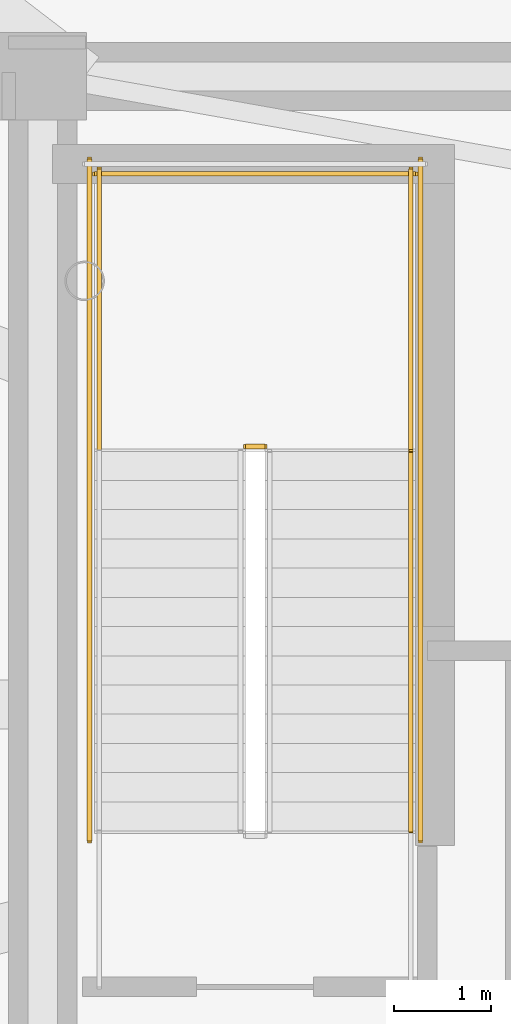
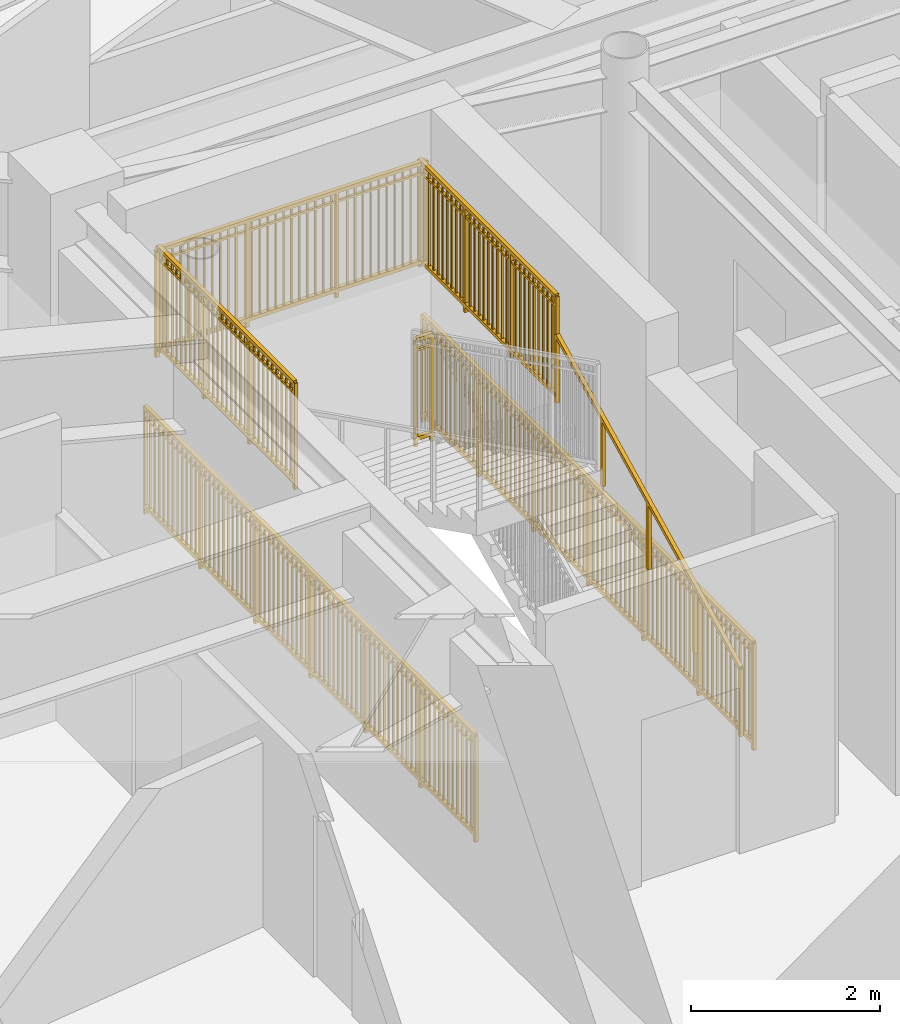
# One storey, part 22 of 23: 7 railings.
"""IFC4 building model written with IfcOpenShell, lengths in metres."""

from ifc_helpers import new_model, si_unit, direction, frame, origin, origin_2d, place, context, subcontext, project, spatial, rectangle, extrude, source, transform, mapped, material, type_object, element, save


model = new_model("IFC4")

# Units and contexts
model_context = context("Model", 3, precision=1e-05, world=origin(), true_north=direction((0.0, 1.0)))
body_context = subcontext(model_context, "Body", "Model", "MODEL_VIEW")
ifc_project = project(units=[si_unit("LENGTHUNIT", "METRE"), si_unit("AREAUNIT", "SQUARE_METRE"), si_unit("VOLUMEUNIT", "CUBIC_METRE"), si_unit("PLANEANGLEUNIT", "RADIAN"), si_unit("MASSUNIT", "GRAM", prefix="KILO")], contexts=[model_context])

# Site, building, storey
site_placement = place(None, origin())
site = spatial("IfcSite", under=ifc_project, at=site_placement, CompositionType="ELEMENT")
building_placement = place(site_placement, origin())
building = spatial("IfcBuilding", under=site, at=building_placement, Name="Linh Dai School and Residence Tower", CompositionType="ELEMENT")
storey_placement = place(building_placement, frame((0.0, 0.0, 359.39990234375)))
storey = spatial("IfcBuildingStorey", under=building, at=storey_placement, Name="L89", CompositionType="ELEMENT", Elevation=359.39990234375)

# Railings
ifc_material_1 = material(Name="Structural Steel S355JR", Category="steel")
railing_type_1 = type_object("IfcRailingType", Name="RL-ST-GUARD-1400", PredefinedType="GUARDRAIL", material=ifc_material_1)
shared_shape_1 = source(origin(), body_context, "Body", "SweptSolid", [
    extrude(rectangle(XDim=0.048095703125, YDim=0.048095703125, at=origin_2d()), frame((0.0, 0.0, 1.3759765625), z_axis=(-1.0, 0.0, 0.0), x_axis=(0.0, -1.0, 0.0)), (0.0, 0.0, 1.0), 0.199951171875),
    extrude(rectangle(XDim=0.048095703125, YDim=0.048095703125, at=origin_2d()), frame((0.0, 0.0, 0.10009765625), z_axis=(-1.0, 0.0, 0.0), x_axis=(0.0, -1.0, 0.0)), (0.0, 0.0, 1.0), 0.199951171875),
    extrude(rectangle(XDim=0.030029296875, YDim=0.030029296875, at=origin_2d()), frame((0.0, 0.0, 1.239990234375), z_axis=(-1.0, 0.0, 0.0), x_axis=(0.0, -1.0, 0.0)), (0.0, 0.0, 1.0), 0.199951171875),
    extrude(rectangle(XDim=0.0419921875, YDim=0.0419921875, at=origin_2d()), origin(), (0.0, 0.0, 1.0), 1.3759765625),
    extrude(rectangle(XDim=0.0419921875, YDim=0.0419921875, at=origin_2d()), frame((-0.199951171875, 0.0, 0.0)), (0.0, 0.0, 1.0), 1.3759765625),
])
railing_1_placement = place(storey_placement, frame((29.429931640625, 29.64990234375, 2.10009765625)))
element("IfcRailing", 1, at=railing_1_placement, inside=storey, type_object=railing_type_1, Name="L89 ST1 stair guard 2", PredefinedType="GUARDRAIL", context=body_context, shape_type="MappedRepresentation", body=[
    mapped(shared_shape_1, transform((0.0, 0.0, 0.0), x_axis=(1.0, 0.0, 0.0), y_axis=(0.0, 1.0, 0.0), z_axis=(0.0, 0.0, 1.0), scale=1.0)),
])
shared_shape_2 = source(origin(), body_context, "Body", "SweptSolid", [
    extrude(rectangle(XDim=0.048095703125, YDim=0.048095703125, at=origin_2d()), frame((0.0, 0.0, 1.3759765625), z_axis=(-1.0, 0.0, 0.0), x_axis=(0.0, -1.0, 0.0)), (0.0, 0.0, 1.0), 3.300048828125),
    extrude(rectangle(XDim=0.048095703125, YDim=0.048095703125, at=origin_2d()), frame((0.0, 0.0, 0.10009765625), z_axis=(-1.0, 0.0, 0.0), x_axis=(0.0, -1.0, 0.0)), (0.0, 0.0, 1.0), 3.300048828125),
    extrude(rectangle(XDim=0.030029296875, YDim=0.030029296875, at=origin_2d()), frame((0.0, 0.0, 1.239990234375), z_axis=(-1.0, 0.0, 0.0), x_axis=(0.0, -1.0, 0.0)), (0.0, 0.0, 1.0), 3.300048828125),
    extrude(rectangle(XDim=0.02001953125, YDim=0.02001953125, at=origin_2d()), frame((-0.09716796875, 0.0, 0.10009765625)), (0.0, 0.0, 1.0), 1.251708984375),
    extrude(rectangle(XDim=0.02001953125, YDim=0.02001953125, at=origin_2d()), frame((-0.194091796875, 0.0, 0.10009765625)), (0.0, 0.0, 1.0), 1.251708984375),
    extrude(rectangle(XDim=0.02001953125, YDim=0.02001953125, at=origin_2d()), frame((-0.291259765625, 0.0, 0.10009765625)), (0.0, 0.0, 1.0), 1.251708984375),
    extrude(rectangle(XDim=0.02001953125, YDim=0.02001953125, at=origin_2d()), frame((-0.38818359375, 0.0, 0.10009765625)), (0.0, 0.0, 1.0), 1.251708984375),
    extrude(rectangle(XDim=0.02001953125, YDim=0.02001953125, at=origin_2d()), frame((-0.4853515625, 0.0, 0.10009765625)), (0.0, 0.0, 1.0), 1.251708984375),
    extrude(rectangle(XDim=0.02001953125, YDim=0.02001953125, at=origin_2d()), frame((-0.582275390625, 0.0, 0.10009765625)), (0.0, 0.0, 1.0), 1.251708984375),
    extrude(rectangle(XDim=0.02001953125, YDim=0.02001953125, at=origin_2d()), frame((-0.679443359375, 0.0, 0.10009765625)), (0.0, 0.0, 1.0), 1.251708984375),
    extrude(rectangle(XDim=0.02001953125, YDim=0.02001953125, at=origin_2d()), frame((-0.7763671875, 0.0, 0.10009765625)), (0.0, 0.0, 1.0), 1.251708984375),
    extrude(rectangle(XDim=0.02001953125, YDim=0.02001953125, at=origin_2d()), frame((-0.87353515625, 0.0, 0.10009765625)), (0.0, 0.0, 1.0), 1.251708984375),
    extrude(rectangle(XDim=0.02001953125, YDim=0.02001953125, at=origin_2d()), frame((-0.970703125, 0.0, 0.10009765625)), (0.0, 0.0, 1.0), 1.251708984375),
    extrude(rectangle(XDim=0.02001953125, YDim=0.02001953125, at=origin_2d()), frame((-1.164794921875, 0.0, 0.10009765625)), (0.0, 0.0, 1.0), 1.251708984375),
    extrude(rectangle(XDim=0.02001953125, YDim=0.02001953125, at=origin_2d()), frame((-1.26171875, 0.0, 0.10009765625)), (0.0, 0.0, 1.0), 1.251708984375),
    extrude(rectangle(XDim=0.02001953125, YDim=0.02001953125, at=origin_2d()), frame((-1.35888671875, 0.0, 0.10009765625)), (0.0, 0.0, 1.0), 1.251708984375),
    extrude(rectangle(XDim=0.02001953125, YDim=0.02001953125, at=origin_2d()), frame((-1.455810546875, 0.0, 0.10009765625)), (0.0, 0.0, 1.0), 1.251708984375),
    extrude(rectangle(XDim=0.02001953125, YDim=0.02001953125, at=origin_2d()), frame((-1.552978515625, 0.0, 0.10009765625)), (0.0, 0.0, 1.0), 1.251708984375),
    extrude(rectangle(XDim=0.02001953125, YDim=0.02001953125, at=origin_2d()), frame((-1.64990234375, 0.0, 0.10009765625)), (0.0, 0.0, 1.0), 1.251708984375),
    extrude(rectangle(XDim=0.02001953125, YDim=0.02001953125, at=origin_2d()), frame((-1.7470703125, 0.0, 0.10009765625)), (0.0, 0.0, 1.0), 1.251708984375),
    extrude(rectangle(XDim=0.02001953125, YDim=0.02001953125, at=origin_2d()), frame((-1.84423828125, 0.0, 0.10009765625)), (0.0, 0.0, 1.0), 1.251708984375),
    extrude(rectangle(XDim=0.02001953125, YDim=0.02001953125, at=origin_2d()), frame((-1.941162109375, 0.0, 0.10009765625)), (0.0, 0.0, 1.0), 1.251708984375),
    extrude(rectangle(XDim=0.02001953125, YDim=0.02001953125, at=origin_2d()), frame((-2.038330078125, 0.0, 0.10009765625)), (0.0, 0.0, 1.0), 1.251708984375),
    extrude(rectangle(XDim=0.02001953125, YDim=0.02001953125, at=origin_2d()), frame((-2.13525390625, 0.0, 0.10009765625)), (0.0, 0.0, 1.0), 1.251708984375),
    extrude(rectangle(XDim=0.02001953125, YDim=0.02001953125, at=origin_2d()), frame((-2.329345703125, 0.0, 0.10009765625)), (0.0, 0.0, 1.0), 1.251708984375),
    extrude(rectangle(XDim=0.02001953125, YDim=0.02001953125, at=origin_2d()), frame((-2.426513671875, 0.0, 0.10009765625)), (0.0, 0.0, 1.0), 1.251708984375),
    extrude(rectangle(XDim=0.02001953125, YDim=0.02001953125, at=origin_2d()), frame((-2.523681640625, 0.0, 0.10009765625)), (0.0, 0.0, 1.0), 1.251708984375),
    extrude(rectangle(XDim=0.02001953125, YDim=0.02001953125, at=origin_2d()), frame((-2.62060546875, 0.0, 0.10009765625)), (0.0, 0.0, 1.0), 1.251708984375),
    extrude(rectangle(XDim=0.02001953125, YDim=0.02001953125, at=origin_2d()), frame((-2.7177734375, 0.0, 0.10009765625)), (0.0, 0.0, 1.0), 1.251708984375),
    extrude(rectangle(XDim=0.02001953125, YDim=0.02001953125, at=origin_2d()), frame((-2.814697265625, 0.0, 0.10009765625)), (0.0, 0.0, 1.0), 1.251708984375),
    extrude(rectangle(XDim=0.02001953125, YDim=0.02001953125, at=origin_2d()), frame((-2.911865234375, 0.0, 0.10009765625)), (0.0, 0.0, 1.0), 1.251708984375),
    extrude(rectangle(XDim=0.02001953125, YDim=0.02001953125, at=origin_2d()), frame((-3.0087890625, 0.0, 0.10009765625)), (0.0, 0.0, 1.0), 1.251708984375),
    extrude(rectangle(XDim=0.02001953125, YDim=0.02001953125, at=origin_2d()), frame((-3.10595703125, 0.0, 0.10009765625)), (0.0, 0.0, 1.0), 1.251708984375),
    extrude(rectangle(XDim=0.02001953125, YDim=0.02001953125, at=origin_2d()), frame((-3.202880859375, 0.0, 0.10009765625)), (0.0, 0.0, 1.0), 1.251708984375),
    extrude(rectangle(XDim=0.0419921875, YDim=0.0419921875, at=origin_2d()), origin(), (0.0, 0.0, 1.0), 1.3759765625),
    extrude(rectangle(XDim=0.0419921875, YDim=0.0419921875, at=origin_2d()), frame((-1.10009765625, 0.0, 0.0)), (0.0, 0.0, 1.0), 1.3759765625),
    extrude(rectangle(XDim=0.0419921875, YDim=0.0419921875, at=origin_2d()), frame((-2.199951171875, 0.0, 0.0)), (0.0, 0.0, 1.0), 1.3759765625),
    extrude(rectangle(XDim=0.0419921875, YDim=0.0419921875, at=origin_2d()), frame((-3.300048828125, 0.0, 0.0)), (0.0, 0.0, 1.0), 1.3759765625),
])
railing_2_placement = place(storey_placement, frame((30.97998046875, 32.449951171875, 2.10009765625)))
element("IfcRailing", 2, at=railing_2_placement, inside=storey, type_object=railing_type_1, Name="L89 ST1 stair guard 5", PredefinedType="GUARDRAIL", context=body_context, shape_type="MappedRepresentation", body=[
    mapped(shared_shape_2, transform((0.0, 0.0, 0.0), x_axis=(1.0, 0.0, 0.0), y_axis=(0.0, 1.0, 0.0), z_axis=(0.0, 0.0, 1.0), scale=1.0)),
])
shared_shape_3 = source(origin(), body_context, "Body", "SweptSolid", [
    extrude(rectangle(XDim=0.048095703125, YDim=0.048095703125, at=origin_2d()), frame((0.0, 0.0, 1.3759765625), z_axis=(0.0, 1.0, 0.0), x_axis=(-1.0, 0.0, 0.0)), (0.0, 0.0, 1.0), 7.0),
    extrude(rectangle(XDim=0.048095703125, YDim=0.048095703125, at=origin_2d()), frame((0.0, 0.0, 0.10009765625), z_axis=(0.0, 1.0, 0.0), x_axis=(-1.0, 0.0, 0.0)), (0.0, 0.0, 1.0), 7.0),
    extrude(rectangle(XDim=0.030029296875, YDim=0.030029296875, at=origin_2d()), frame((0.0, 0.0, 1.239990234375), z_axis=(0.0, 1.0, 0.0), x_axis=(-1.0, 0.0, 0.0)), (0.0, 0.0, 1.0), 7.0),
    extrude(rectangle(XDim=0.02001953125, YDim=0.02001953125, at=origin_2d()), frame((0.0, 0.09716796875, 0.10009765625)), (0.0, 0.0, 1.0), 1.251708984375),
    extrude(rectangle(XDim=0.02001953125, YDim=0.02001953125, at=origin_2d()), frame((0.0, 0.1943359375, 0.10009765625)), (0.0, 0.0, 1.0), 1.251708984375),
    extrude(rectangle(XDim=0.02001953125, YDim=0.02001953125, at=origin_2d()), frame((0.0, 0.291748046875, 0.10009765625)), (0.0, 0.0, 1.0), 1.251708984375),
    extrude(rectangle(XDim=0.02001953125, YDim=0.02001953125, at=origin_2d()), frame((0.0, 0.388916015625, 0.10009765625)), (0.0, 0.0, 1.0), 1.251708984375),
    extrude(rectangle(XDim=0.02001953125, YDim=0.02001953125, at=origin_2d()), frame((0.0, 0.486083984375, 0.10009765625)), (0.0, 0.0, 1.0), 1.251708984375),
    extrude(rectangle(XDim=0.02001953125, YDim=0.02001953125, at=origin_2d()), frame((0.0, 0.583251953125, 0.10009765625)), (0.0, 0.0, 1.0), 1.251708984375),
    extrude(rectangle(XDim=0.02001953125, YDim=0.02001953125, at=origin_2d()), frame((0.0, 0.6806640625, 0.10009765625)), (0.0, 0.0, 1.0), 1.251708984375),
    extrude(rectangle(XDim=0.02001953125, YDim=0.02001953125, at=origin_2d()), frame((0.0, 0.77783203125, 0.10009765625)), (0.0, 0.0, 1.0), 1.251708984375),
    extrude(rectangle(XDim=0.02001953125, YDim=0.02001953125, at=origin_2d()), frame((0.0, 0.875, 0.10009765625)), (0.0, 0.0, 1.0), 1.251708984375),
    extrude(rectangle(XDim=0.02001953125, YDim=0.02001953125, at=origin_2d()), frame((0.0, 0.97216796875, 0.10009765625)), (0.0, 0.0, 1.0), 1.251708984375),
    extrude(rectangle(XDim=0.02001953125, YDim=0.02001953125, at=origin_2d()), frame((0.0, 1.0693359375, 0.10009765625)), (0.0, 0.0, 1.0), 1.251708984375),
    extrude(rectangle(XDim=0.02001953125, YDim=0.02001953125, at=origin_2d()), frame((0.0, 1.263916015625, 0.10009765625)), (0.0, 0.0, 1.0), 1.251708984375),
    extrude(rectangle(XDim=0.02001953125, YDim=0.02001953125, at=origin_2d()), frame((0.0, 1.361083984375, 0.10009765625)), (0.0, 0.0, 1.0), 1.251708984375),
    extrude(rectangle(XDim=0.02001953125, YDim=0.02001953125, at=origin_2d()), frame((0.0, 1.458251953125, 0.10009765625)), (0.0, 0.0, 1.0), 1.251708984375),
    extrude(rectangle(XDim=0.02001953125, YDim=0.02001953125, at=origin_2d()), frame((0.0, 1.5556640625, 0.10009765625)), (0.0, 0.0, 1.0), 1.251708984375),
    extrude(rectangle(XDim=0.02001953125, YDim=0.02001953125, at=origin_2d()), frame((0.0, 1.65283203125, 0.10009765625)), (0.0, 0.0, 1.0), 1.251708984375),
    extrude(rectangle(XDim=0.02001953125, YDim=0.02001953125, at=origin_2d()), frame((0.0, 1.75, 0.10009765625)), (0.0, 0.0, 1.0), 1.251708984375),
    extrude(rectangle(XDim=0.02001953125, YDim=0.02001953125, at=origin_2d()), frame((0.0, 1.84716796875, 0.10009765625)), (0.0, 0.0, 1.0), 1.251708984375),
    extrude(rectangle(XDim=0.02001953125, YDim=0.02001953125, at=origin_2d()), frame((0.0, 1.9443359375, 0.10009765625)), (0.0, 0.0, 1.0), 1.251708984375),
    extrude(rectangle(XDim=0.02001953125, YDim=0.02001953125, at=origin_2d()), frame((0.0, 2.041748046875, 0.10009765625)), (0.0, 0.0, 1.0), 1.251708984375),
    extrude(rectangle(XDim=0.02001953125, YDim=0.02001953125, at=origin_2d()), frame((0.0, 2.138916015625, 0.10009765625)), (0.0, 0.0, 1.0), 1.251708984375),
    extrude(rectangle(XDim=0.02001953125, YDim=0.02001953125, at=origin_2d()), frame((0.0, 2.236083984375, 0.10009765625)), (0.0, 0.0, 1.0), 1.251708984375),
    extrude(rectangle(XDim=0.02001953125, YDim=0.02001953125, at=origin_2d()), frame((0.0, 2.4306640625, 0.10009765625)), (0.0, 0.0, 1.0), 1.251708984375),
    extrude(rectangle(XDim=0.02001953125, YDim=0.02001953125, at=origin_2d()), frame((0.0, 2.52783203125, 0.10009765625)), (0.0, 0.0, 1.0), 1.251708984375),
    extrude(rectangle(XDim=0.02001953125, YDim=0.02001953125, at=origin_2d()), frame((0.0, 2.625, 0.10009765625)), (0.0, 0.0, 1.0), 1.251708984375),
    extrude(rectangle(XDim=0.02001953125, YDim=0.02001953125, at=origin_2d()), frame((0.0, 2.72216796875, 0.10009765625)), (0.0, 0.0, 1.0), 1.251708984375),
    extrude(rectangle(XDim=0.02001953125, YDim=0.02001953125, at=origin_2d()), frame((0.0, 2.8193359375, 0.10009765625)), (0.0, 0.0, 1.0), 1.251708984375),
    extrude(rectangle(XDim=0.02001953125, YDim=0.02001953125, at=origin_2d()), frame((0.0, 2.916748046875, 0.10009765625)), (0.0, 0.0, 1.0), 1.251708984375),
    extrude(rectangle(XDim=0.02001953125, YDim=0.02001953125, at=origin_2d()), frame((0.0, 3.013916015625, 0.10009765625)), (0.0, 0.0, 1.0), 1.251708984375),
    extrude(rectangle(XDim=0.02001953125, YDim=0.02001953125, at=origin_2d()), frame((0.0, 3.111083984375, 0.10009765625)), (0.0, 0.0, 1.0), 1.251708984375),
    extrude(rectangle(XDim=0.02001953125, YDim=0.02001953125, at=origin_2d()), frame((0.0, 3.208251953125, 0.10009765625)), (0.0, 0.0, 1.0), 1.251708984375),
    extrude(rectangle(XDim=0.02001953125, YDim=0.02001953125, at=origin_2d()), frame((0.0, 3.3056640625, 0.10009765625)), (0.0, 0.0, 1.0), 1.251708984375),
    extrude(rectangle(XDim=0.02001953125, YDim=0.02001953125, at=origin_2d()), frame((0.0, 3.40283203125, 0.10009765625)), (0.0, 0.0, 1.0), 1.251708984375),
    extrude(rectangle(XDim=0.02001953125, YDim=0.02001953125, at=origin_2d()), frame((0.0, 3.59716796875, 0.10009765625)), (0.0, 0.0, 1.0), 1.251708984375),
    extrude(rectangle(XDim=0.02001953125, YDim=0.02001953125, at=origin_2d()), frame((0.0, 3.6943359375, 0.10009765625)), (0.0, 0.0, 1.0), 1.251708984375),
    extrude(rectangle(XDim=0.02001953125, YDim=0.02001953125, at=origin_2d()), frame((0.0, 3.791748046875, 0.10009765625)), (0.0, 0.0, 1.0), 1.251708984375),
    extrude(rectangle(XDim=0.02001953125, YDim=0.02001953125, at=origin_2d()), frame((0.0, 3.888916015625, 0.10009765625)), (0.0, 0.0, 1.0), 1.251708984375),
    extrude(rectangle(XDim=0.02001953125, YDim=0.02001953125, at=origin_2d()), frame((0.0, 3.986083984375, 0.10009765625)), (0.0, 0.0, 1.0), 1.251708984375),
    extrude(rectangle(XDim=0.02001953125, YDim=0.02001953125, at=origin_2d()), frame((0.0, 4.083251953125, 0.10009765625)), (0.0, 0.0, 1.0), 1.251708984375),
    extrude(rectangle(XDim=0.02001953125, YDim=0.02001953125, at=origin_2d()), frame((0.0, 4.1806640625, 0.10009765625)), (0.0, 0.0, 1.0), 1.251708984375),
    extrude(rectangle(XDim=0.02001953125, YDim=0.02001953125, at=origin_2d()), frame((0.0, 4.27783203125, 0.10009765625)), (0.0, 0.0, 1.0), 1.251708984375),
    extrude(rectangle(XDim=0.02001953125, YDim=0.02001953125, at=origin_2d()), frame((0.0, 4.375, 0.10009765625)), (0.0, 0.0, 1.0), 1.251708984375),
    extrude(rectangle(XDim=0.02001953125, YDim=0.02001953125, at=origin_2d()), frame((0.0, 4.47216796875, 0.10009765625)), (0.0, 0.0, 1.0), 1.251708984375),
    extrude(rectangle(XDim=0.02001953125, YDim=0.02001953125, at=origin_2d()), frame((0.0, 4.5693359375, 0.10009765625)), (0.0, 0.0, 1.0), 1.251708984375),
    extrude(rectangle(XDim=0.02001953125, YDim=0.02001953125, at=origin_2d()), frame((0.0, 4.763916015625, 0.10009765625)), (0.0, 0.0, 1.0), 1.251708984375),
    extrude(rectangle(XDim=0.02001953125, YDim=0.02001953125, at=origin_2d()), frame((0.0, 4.861083984375, 0.10009765625)), (0.0, 0.0, 1.0), 1.251708984375),
    extrude(rectangle(XDim=0.02001953125, YDim=0.02001953125, at=origin_2d()), frame((0.0, 4.958251953125, 0.10009765625)), (0.0, 0.0, 1.0), 1.251708984375),
    extrude(rectangle(XDim=0.02001953125, YDim=0.02001953125, at=origin_2d()), frame((0.0, 5.0556640625, 0.10009765625)), (0.0, 0.0, 1.0), 1.251708984375),
    extrude(rectangle(XDim=0.02001953125, YDim=0.02001953125, at=origin_2d()), frame((0.0, 5.15283203125, 0.10009765625)), (0.0, 0.0, 1.0), 1.251708984375),
    extrude(rectangle(XDim=0.02001953125, YDim=0.02001953125, at=origin_2d()), frame((0.0, 5.25, 0.10009765625)), (0.0, 0.0, 1.0), 1.251708984375),
    extrude(rectangle(XDim=0.02001953125, YDim=0.02001953125, at=origin_2d()), frame((0.0, 5.34716796875, 0.10009765625)), (0.0, 0.0, 1.0), 1.251708984375),
    extrude(rectangle(XDim=0.02001953125, YDim=0.02001953125, at=origin_2d()), frame((0.0, 5.4443359375, 0.10009765625)), (0.0, 0.0, 1.0), 1.251708984375),
    extrude(rectangle(XDim=0.02001953125, YDim=0.02001953125, at=origin_2d()), frame((0.0, 5.541748046875, 0.10009765625)), (0.0, 0.0, 1.0), 1.251708984375),
    extrude(rectangle(XDim=0.02001953125, YDim=0.02001953125, at=origin_2d()), frame((0.0, 5.638916015625, 0.10009765625)), (0.0, 0.0, 1.0), 1.251708984375),
    extrude(rectangle(XDim=0.02001953125, YDim=0.02001953125, at=origin_2d()), frame((0.0, 5.736083984375, 0.10009765625)), (0.0, 0.0, 1.0), 1.251708984375),
    extrude(rectangle(XDim=0.02001953125, YDim=0.02001953125, at=origin_2d()), frame((0.0, 5.9306640625, 0.10009765625)), (0.0, 0.0, 1.0), 1.251708984375),
    extrude(rectangle(XDim=0.02001953125, YDim=0.02001953125, at=origin_2d()), frame((0.0, 6.02783203125, 0.10009765625)), (0.0, 0.0, 1.0), 1.251708984375),
    extrude(rectangle(XDim=0.02001953125, YDim=0.02001953125, at=origin_2d()), frame((0.0, 6.125, 0.10009765625)), (0.0, 0.0, 1.0), 1.251708984375),
    extrude(rectangle(XDim=0.02001953125, YDim=0.02001953125, at=origin_2d()), frame((0.0, 6.22216796875, 0.10009765625)), (0.0, 0.0, 1.0), 1.251708984375),
    extrude(rectangle(XDim=0.02001953125, YDim=0.02001953125, at=origin_2d()), frame((0.0, 6.3193359375, 0.10009765625)), (0.0, 0.0, 1.0), 1.251708984375),
    extrude(rectangle(XDim=0.02001953125, YDim=0.02001953125, at=origin_2d()), frame((0.0, 6.416748046875, 0.10009765625)), (0.0, 0.0, 1.0), 1.251708984375),
    extrude(rectangle(XDim=0.02001953125, YDim=0.02001953125, at=origin_2d()), frame((0.0, 6.513916015625, 0.10009765625)), (0.0, 0.0, 1.0), 1.251708984375),
    extrude(rectangle(XDim=0.02001953125, YDim=0.02001953125, at=origin_2d()), frame((0.0, 6.611083984375, 0.10009765625)), (0.0, 0.0, 1.0), 1.251708984375),
    extrude(rectangle(XDim=0.02001953125, YDim=0.02001953125, at=origin_2d()), frame((0.0, 6.708251953125, 0.10009765625)), (0.0, 0.0, 1.0), 1.251708984375),
    extrude(rectangle(XDim=0.02001953125, YDim=0.02001953125, at=origin_2d()), frame((0.0, 6.8056640625, 0.10009765625)), (0.0, 0.0, 1.0), 1.251708984375),
    extrude(rectangle(XDim=0.02001953125, YDim=0.02001953125, at=origin_2d()), frame((0.0, 6.90283203125, 0.10009765625)), (0.0, 0.0, 1.0), 1.251708984375),
    extrude(rectangle(XDim=0.0419921875, YDim=0.0419921875, at=origin_2d()), origin(), (0.0, 0.0, 1.0), 1.3759765625),
    extrude(rectangle(XDim=0.0419921875, YDim=0.0419921875, at=origin_2d()), frame((0.0, 1.166748046875, 0.0)), (0.0, 0.0, 1.0), 1.3759765625),
    extrude(rectangle(XDim=0.0419921875, YDim=0.0419921875, at=origin_2d()), frame((0.0, 2.333251953125, 0.0)), (0.0, 0.0, 1.0), 1.3759765625),
    extrude(rectangle(XDim=0.0419921875, YDim=0.0419921875, at=origin_2d()), frame((0.0, 3.5, 0.0)), (0.0, 0.0, 1.0), 1.3759765625),
    extrude(rectangle(XDim=0.0419921875, YDim=0.0419921875, at=origin_2d()), frame((0.0, 4.666748046875, 0.0)), (0.0, 0.0, 1.0), 1.3759765625),
    extrude(rectangle(XDim=0.0419921875, YDim=0.0419921875, at=origin_2d()), frame((0.0, 5.833251953125, 0.0)), (0.0, 0.0, 1.0), 1.3759765625),
    extrude(rectangle(XDim=0.0419921875, YDim=0.0419921875, at=origin_2d()), frame((0.0, 7.0, 0.0)), (0.0, 0.0, 1.0), 1.3759765625),
])
for number, where, name in (
    (3, (31.030029296875, 25.60009765625, 0.0), "L89 ST1 stair guard 10"),
    (4, (27.6298828125, 25.60009765625, 0.0), "L89 ST1 stair guard 11"),
):
    element("IfcRailing", number, at=place(storey_placement, frame(where)), inside=storey, type_object=railing_type_1, Name=name, PredefinedType="GUARDRAIL", context=body_context, shape_type="MappedRepresentation", body=[
        mapped(shared_shape_3, transform((0.0, 0.0, 0.0), x_axis=(1.0, 0.0, 0.0), y_axis=(0.0, 1.0, 0.0), z_axis=(0.0, 0.0, 1.0), scale=1.0)),
    ])
shared_shape_4 = source(origin(), body_context, "Body", "SweptSolid", [
    extrude(rectangle(XDim=0.048095703125, YDim=0.048095703125, at=origin_2d()), frame((0.0, 0.0, 1.3759765625), z_axis=(0.0, 1.0, 0.0), x_axis=(-1.0, 0.0, 0.0)), (0.0, 0.0, 1.0), 2.89990234375),
    extrude(rectangle(XDim=0.048095703125, YDim=0.048095703125, at=origin_2d()), frame((0.0, 0.0, 0.10009765625), z_axis=(0.0, 1.0, 0.0), x_axis=(-1.0, 0.0, 0.0)), (0.0, 0.0, 1.0), 2.89990234375),
    extrude(rectangle(XDim=0.030029296875, YDim=0.030029296875, at=origin_2d()), frame((0.0, 0.0, 1.239990234375), z_axis=(0.0, 1.0, 0.0), x_axis=(-1.0, 0.0, 0.0)), (0.0, 0.0, 1.0), 2.89990234375),
    extrude(rectangle(XDim=0.02001953125, YDim=0.02001953125, at=origin_2d()), frame((0.0, 0.0966796875, 0.10009765625)), (0.0, 0.0, 1.0), 1.251708984375),
    extrude(rectangle(XDim=0.02001953125, YDim=0.02001953125, at=origin_2d()), frame((0.0, 0.193359375, 0.10009765625)), (0.0, 0.0, 1.0), 1.251708984375),
    extrude(rectangle(XDim=0.02001953125, YDim=0.02001953125, at=origin_2d()), frame((0.0, 0.2900390625, 0.10009765625)), (0.0, 0.0, 1.0), 1.251708984375),
    extrude(rectangle(XDim=0.02001953125, YDim=0.02001953125, at=origin_2d()), frame((0.0, 0.38671875, 0.10009765625)), (0.0, 0.0, 1.0), 1.251708984375),
    extrude(rectangle(XDim=0.02001953125, YDim=0.02001953125, at=origin_2d()), frame((0.0, 0.4833984375, 0.10009765625)), (0.0, 0.0, 1.0), 1.251708984375),
    extrude(rectangle(XDim=0.02001953125, YDim=0.02001953125, at=origin_2d()), frame((0.0, 0.580078125, 0.10009765625)), (0.0, 0.0, 1.0), 1.251708984375),
    extrude(rectangle(XDim=0.02001953125, YDim=0.02001953125, at=origin_2d()), frame((0.0, 0.6767578125, 0.10009765625)), (0.0, 0.0, 1.0), 1.251708984375),
    extrude(rectangle(XDim=0.02001953125, YDim=0.02001953125, at=origin_2d()), frame((0.0, 0.773193359375, 0.10009765625)), (0.0, 0.0, 1.0), 1.251708984375),
    extrude(rectangle(XDim=0.02001953125, YDim=0.02001953125, at=origin_2d()), frame((0.0, 0.869873046875, 0.10009765625)), (0.0, 0.0, 1.0), 1.251708984375),
    extrude(rectangle(XDim=0.02001953125, YDim=0.02001953125, at=origin_2d()), frame((0.0, 1.063232421875, 0.10009765625)), (0.0, 0.0, 1.0), 1.251708984375),
    extrude(rectangle(XDim=0.02001953125, YDim=0.02001953125, at=origin_2d()), frame((0.0, 1.159912109375, 0.10009765625)), (0.0, 0.0, 1.0), 1.251708984375),
    extrude(rectangle(XDim=0.02001953125, YDim=0.02001953125, at=origin_2d()), frame((0.0, 1.256591796875, 0.10009765625)), (0.0, 0.0, 1.0), 1.251708984375),
    extrude(rectangle(XDim=0.02001953125, YDim=0.02001953125, at=origin_2d()), frame((0.0, 1.353271484375, 0.10009765625)), (0.0, 0.0, 1.0), 1.251708984375),
    extrude(rectangle(XDim=0.02001953125, YDim=0.02001953125, at=origin_2d()), frame((0.0, 1.449951171875, 0.10009765625)), (0.0, 0.0, 1.0), 1.251708984375),
    extrude(rectangle(XDim=0.02001953125, YDim=0.02001953125, at=origin_2d()), frame((0.0, 1.546630859375, 0.10009765625)), (0.0, 0.0, 1.0), 1.251708984375),
    extrude(rectangle(XDim=0.02001953125, YDim=0.02001953125, at=origin_2d()), frame((0.0, 1.643310546875, 0.10009765625)), (0.0, 0.0, 1.0), 1.251708984375),
    extrude(rectangle(XDim=0.02001953125, YDim=0.02001953125, at=origin_2d()), frame((0.0, 1.739990234375, 0.10009765625)), (0.0, 0.0, 1.0), 1.251708984375),
    extrude(rectangle(XDim=0.02001953125, YDim=0.02001953125, at=origin_2d()), frame((0.0, 1.836669921875, 0.10009765625)), (0.0, 0.0, 1.0), 1.251708984375),
    extrude(rectangle(XDim=0.02001953125, YDim=0.02001953125, at=origin_2d()), frame((0.0, 2.030029296875, 0.10009765625)), (0.0, 0.0, 1.0), 1.251708984375),
    extrude(rectangle(XDim=0.02001953125, YDim=0.02001953125, at=origin_2d()), frame((0.0, 2.126708984375, 0.10009765625)), (0.0, 0.0, 1.0), 1.251708984375),
    extrude(rectangle(XDim=0.02001953125, YDim=0.02001953125, at=origin_2d()), frame((0.0, 2.22314453125, 0.10009765625)), (0.0, 0.0, 1.0), 1.251708984375),
    extrude(rectangle(XDim=0.02001953125, YDim=0.02001953125, at=origin_2d()), frame((0.0, 2.31982421875, 0.10009765625)), (0.0, 0.0, 1.0), 1.251708984375),
    extrude(rectangle(XDim=0.02001953125, YDim=0.02001953125, at=origin_2d()), frame((0.0, 2.41650390625, 0.10009765625)), (0.0, 0.0, 1.0), 1.251708984375),
    extrude(rectangle(XDim=0.02001953125, YDim=0.02001953125, at=origin_2d()), frame((0.0, 2.51318359375, 0.10009765625)), (0.0, 0.0, 1.0), 1.251708984375),
    extrude(rectangle(XDim=0.02001953125, YDim=0.02001953125, at=origin_2d()), frame((0.0, 2.60986328125, 0.10009765625)), (0.0, 0.0, 1.0), 1.251708984375),
    extrude(rectangle(XDim=0.02001953125, YDim=0.02001953125, at=origin_2d()), frame((0.0, 2.70654296875, 0.10009765625)), (0.0, 0.0, 1.0), 1.251708984375),
    extrude(rectangle(XDim=0.02001953125, YDim=0.02001953125, at=origin_2d()), frame((0.0, 2.80322265625, 0.10009765625)), (0.0, 0.0, 1.0), 1.251708984375),
    extrude(rectangle(XDim=0.0419921875, YDim=0.0419921875, at=origin_2d()), origin(), (0.0, 0.0, 1.0), 1.3759765625),
    extrude(rectangle(XDim=0.0419921875, YDim=0.0419921875, at=origin_2d()), frame((0.0, 0.966552734375, 0.0)), (0.0, 0.0, 1.0), 1.3759765625),
    extrude(rectangle(XDim=0.0419921875, YDim=0.0419921875, at=origin_2d()), frame((0.0, 1.933349609375, 0.0)), (0.0, 0.0, 1.0), 1.3759765625),
    extrude(rectangle(XDim=0.0419921875, YDim=0.0419921875, at=origin_2d()), frame((0.0, 2.89990234375, 0.0)), (0.0, 0.0, 1.0), 1.3759765625),
])
for number, where, name in (
    (5, (30.929931640625, 29.60009765625, 2.10009765625), "L89 ST1 stair guard 3"),
    (6, (27.72998046875, 29.60009765625, 2.10009765625), "L89 ST1 stair guard 4"),
):
    element("IfcRailing", number, at=place(storey_placement, frame(where)), inside=storey, type_object=railing_type_1, Name=name, PredefinedType="GUARDRAIL", context=body_context, shape_type="MappedRepresentation", body=[
        mapped(shared_shape_4, transform((0.0, 0.0, 0.0), x_axis=(1.0, 0.0, 0.0), y_axis=(0.0, 1.0, 0.0), z_axis=(0.0, 0.0, 1.0), scale=1.0)),
    ])
ifc_material_2 = material(Name="Brushed Stainless Steel Handrail", Category="steel")
railing_type_2 = type_object("IfcRailingType", Name="RL-ST-HANDRAIL-900", PredefinedType="HANDRAIL", material=ifc_material_2)
shared_shape_5 = source(origin(), body_context, "Body", "SweptSolid", [
    extrude(rectangle(XDim=0.048095703125, YDim=0.048095703125, at=origin_2d()), frame((0.0, 0.0, 0.8759765625), z_axis=(0.0, 0.894438388696, 0.447191199406), x_axis=(-1.0, 0.0, 0.0)), (0.0, 0.0, 1.0), 4.3603515625),
    extrude(rectangle(XDim=0.0419921875, YDim=0.0419921875, at=origin_2d()), origin(), (0.0, 0.0, 1.0), 0.8759765625),
    extrude(rectangle(XDim=0.0419921875, YDim=0.0419921875, at=origin_2d()), frame((0.0, 0.97509765625, 0.487548828125)), (0.0, 0.0, 1.0), 0.8759765625),
    extrude(rectangle(XDim=0.0419921875, YDim=0.0419921875, at=origin_2d()), frame((0.0, 1.9501953125, 0.97509765625)), (0.0, 0.0, 1.0), 0.8759765625),
    extrude(rectangle(XDim=0.0419921875, YDim=0.0419921875, at=origin_2d()), frame((0.0, 2.925048828125, 1.46240234375)), (0.0, 0.0, 1.0), 0.8759765625),
    extrude(rectangle(XDim=0.0419921875, YDim=0.0419921875, at=origin_2d()), frame((0.0, 3.900146484375, 1.949951171875)), (0.0, 0.0, 1.0), 0.8759765625),
])
railing_3_placement = place(storey_placement, frame((30.929931640625, 25.699951171875, 0.150146484375)))
element("IfcRailing", 7, at=railing_3_placement, inside=storey, type_object=railing_type_2, Name="L89 ST1 stair handrail 1", PredefinedType="HANDRAIL", context=body_context, shape_type="MappedRepresentation", body=[
    mapped(shared_shape_5, transform((0.0, 0.0, 0.0), x_axis=(1.0, 0.0, 0.0), y_axis=(0.0, 1.0, 0.0), z_axis=(0.0, 0.0, 1.0), scale=1.0)),
])

save(model, "model.ifc")
